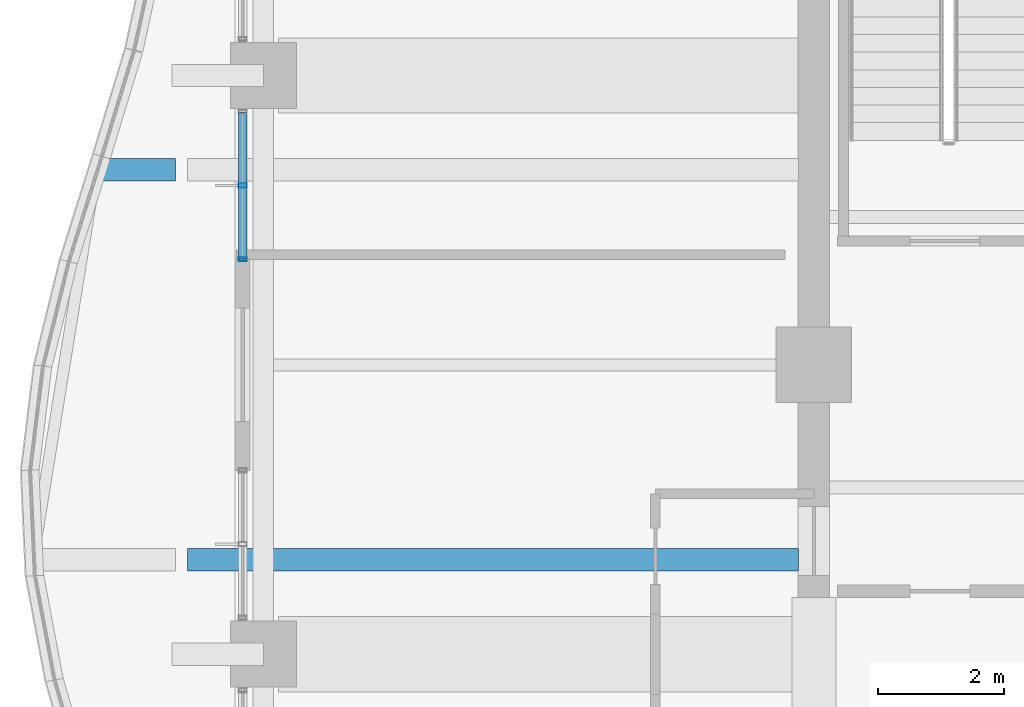
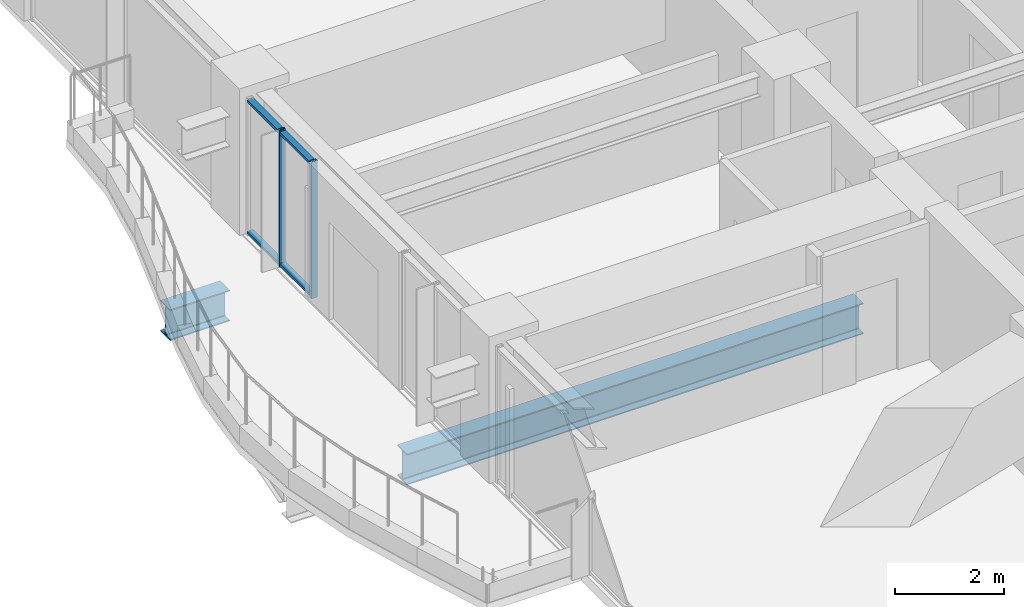
# One storey, part 10 of 36: 4 members, 2 beams, 1 element without a shape of its own.
"""IFC4 building model written with IfcOpenShell, lengths in metres."""

import ifcopenshell
import ifcopenshell.guid

model = None  # the IFC model being written
_history = None  # IfcOwnerHistory: only IFC2X3 demands one
_inside = {}  # id of a spatial element -> (the spatial element, [elements in it])
_under = {}  # id of a project, library or spatial element -> (it, [spatial elements below it])
_declared = {}  # id of a project -> (the project, [libraries it declares])
_typed = {}  # id of a type object -> (the type object, [elements of that type])
_made_of = {}  # id of a material, layer set ... -> (it, [elements and type objects made of it])


def new_model(schema):
    """Start an empty IFC model of exactly this schema.

    Asked for "IFC4X3", IfcOpenShell would pick the latest addendum, in which some entities
    have other attributes; the version numbers below select the first issue.
    IFC2X3 requires an IfcOwnerHistory on every rooted entity: one is made here for all.
    """
    global model, _history
    if schema == "IFC4X3":
        model = ifcopenshell.file(schema_version=(4, 3, 0, 0))
    else:
        model = ifcopenshell.file(schema=schema)
    _inside.clear()
    _under.clear()
    _declared.clear()
    _typed.clear()
    _made_of.clear()
    _history = None
    if model.schema == "IFC2X3":
        org = make("IfcOrganization", Name="unknown")
        user = make(
            "IfcPersonAndOrganization",
            ThePerson=make("IfcPerson", FamilyName="unknown"),
            TheOrganization=org,
        )
        app = make(
            "IfcApplication",
            ApplicationDeveloper=org,
            Version="unknown",
            ApplicationFullName="unknown",
            ApplicationIdentifier="unknown",
        )
        _history = make(
            "IfcOwnerHistory",
            OwningUser=user,
            OwningApplication=app,
            ChangeAction="ADDED",
            CreationDate=0,
        )
    return model


def make(cls, **values):
    """One entity of the class cls with the attributes given. An attribute that is None is left unset."""
    return model.create_entity(
        cls, **{name: value for name, value in values.items() if value is not None}
    )


def rooted(cls, **values):
    """An entity with a GlobalId (a new one), such as an element, a storey or a relation."""
    return make(cls, GlobalId=ifcopenshell.guid.new(), OwnerHistory=_history, **values)


def si_unit(unit_type, name, prefix=None):
    """IfcSIUnit, for example si_unit("LENGTHUNIT", "METRE", prefix="MILLI")."""
    return make("IfcSIUnit", UnitType=unit_type, Prefix=prefix, Name=name)


def assignment(units):
    """IfcUnitAssignment: the units of a project."""
    return None if units is None else make("IfcUnitAssignment", Units=units)


def point(xyz):
    """IfcCartesianPoint."""
    return None if xyz is None else make("IfcCartesianPoint", Coordinates=xyz)


def direction(xyz):
    """IfcDirection."""
    return None if xyz is None else make("IfcDirection", DirectionRatios=xyz)


def frame(location, z_axis=None, x_axis=None):
    """IfcAxis2Placement3D, a coordinate frame: its origin and axes. An axis left out is left unset."""
    return make(
        "IfcAxis2Placement3D",
        Location=point(location),
        Axis=direction(z_axis),
        RefDirection=direction(x_axis),
    )


def frame_2d(location, x_axis=None):
    """IfcAxis2Placement2D, a coordinate frame in the plane: its origin and x axis."""
    return make(
        "IfcAxis2Placement2D", Location=point(location), RefDirection=direction(x_axis)
    )


def origin():
    """The frame at (0, 0, 0) with its axes left unset."""
    return frame((0.0, 0.0, 0.0))


def origin_2d():
    """The frame at (0, 0) in the plane with its x axis left unset."""
    return frame_2d((0.0, 0.0))


def place(relative_to, where):
    """IfcLocalPlacement: puts the frame where relative to a parent placement (None: the world)."""
    return make(
        "IfcLocalPlacement", PlacementRelTo=relative_to, RelativePlacement=where
    )


def context(
    kind, dimensions, precision=None, world=None, true_north=None, identifier=None
):
    """IfcGeometricRepresentationContext, for example the 3D "Model" context."""
    return make(
        "IfcGeometricRepresentationContext",
        ContextIdentifier=identifier,
        ContextType=kind,
        CoordinateSpaceDimension=dimensions,
        Precision=precision,
        WorldCoordinateSystem=world,
        TrueNorth=true_north,
    )


def subcontext(parent, identifier, kind, view, scale=None):
    """IfcGeometricRepresentationSubContext, for example "Body" below "Model"."""
    return make(
        "IfcGeometricRepresentationSubContext",
        ContextIdentifier=identifier,
        ContextType=kind,
        ParentContext=parent,
        TargetScale=scale,
        TargetView=view,
    )


def project(units=None, contexts=None):
    """IfcProject with its units and contexts."""
    return rooted(
        "IfcProject",
        Name="project",
        RepresentationContexts=contexts,
        UnitsInContext=assignment(units),
    )


def spatial(cls, under=None, at=None, **own):
    """A site, building, storey or space (cls), placed at a placement, below another one or the project."""
    s = rooted(cls, ObjectPlacement=at, **own)
    if under is not None:
        _under.setdefault(under.id(), (under, []))[1].append(s)
    return s


def profile(cls, at=None, kind="AREA", **sizes):
    """A parametric profile (cls). Its sizes go by their IFC names, for example OverallWidth=200.0."""
    return make(cls, ProfileType=kind, Position=at, **sizes)


def hollow_rectangle(**sizes):
    """IfcRectangleHollowProfileDef."""
    return profile("IfcRectangleHollowProfileDef", **sizes)


def i_section(**sizes):
    """IfcIShapeProfileDef."""
    return profile("IfcIShapeProfileDef", **sizes)


def extrude(swept, where, along, depth):
    """IfcExtrudedAreaSolid: the profile swept, set in the frame where, extruded along a direction by depth."""
    return make(
        "IfcExtrudedAreaSolid",
        SweptArea=swept,
        Position=where,
        ExtrudedDirection=direction(along),
        Depth=depth,
    )


def shape(context_of_items, identifier, shape_type, items):
    """IfcShapeRepresentation: the items that make up one representation, for example the "Body"."""
    return make(
        "IfcShapeRepresentation",
        ContextOfItems=context_of_items,
        RepresentationIdentifier=identifier,
        RepresentationType=shape_type,
        Items=items,
    )


def material(Name=None, Category=None):
    """IfcMaterial."""
    return make("IfcMaterial", Name=Name, Category=Category)


def material_profile(
    of_material, cross_section, Name=None, Category=None, Priority=None
):
    """IfcMaterialProfile: a cross section and its material."""
    return make(
        "IfcMaterialProfile",
        Name=Name,
        Material=of_material,
        Profile=cross_section,
        Priority=Priority,
        Category=Category,
    )


def profile_set(profiles, Name=None, composite=None):
    """IfcMaterialProfileSet."""
    return make(
        "IfcMaterialProfileSet",
        Name=Name,
        MaterialProfiles=profiles,
        CompositeProfile=composite,
    )


def made_of(thing, what):
    """Note that an element or type object is made of a material, layer set ...; save() writes the relation."""
    if what is not None:
        _made_of.setdefault(what.id(), (what, []))[1].append(thing)
    return thing


def type_object(cls, material=None, **own):
    """A type object (cls), such as IfcWallType, which elements share."""
    return made_of(rooted(cls, **own), material)


def element(
    cls,
    number,
    at=None,
    inside=None,
    cuts=None,
    type_object=None,
    material=None,
    context=None,
    identifier="Body",
    shape_type=None,
    held_by="IfcProductDefinitionShape",
    body=None,
    shapes=None,
    **own,
):
    """One element of the class cls, such as IfcWall. Its Tag is "e" and its number.

    at: its placement. inside: the storey or other place that contains it. cuts: it is an
    opening in that element (IfcRelVoidsElement). A single representation is given by context,
    identifier, shape_type and body (its items); several are given by shapes. held_by: the class
    of the entity that holds the representations. save() writes the other relations.
    """
    e = rooted(cls, Tag="e%d" % number, ObjectPlacement=at, **own)
    if body is not None:
        shapes = [shape(context, identifier, shape_type, body)]
    if shapes is not None:
        e.Representation = make(held_by, Representations=shapes)
    if inside is not None:
        _inside.setdefault(inside.id(), (inside, []))[1].append(e)
    if cuts is not None:
        rooted(
            "IfcRelVoidsElement", RelatingBuildingElement=cuts, RelatedOpeningElement=e
        )
    if type_object is not None:
        _typed.setdefault(type_object.id(), (type_object, []))[1].append(e)
    return made_of(e, material)


def aggregate(whole, parts):
    """IfcRelAggregates: a whole, such as a stair, and the parts it consists of."""
    return rooted("IfcRelAggregates", RelatingObject=whole, RelatedObjects=parts)


def save(model, path):
    """Write the relations noted so far, then the file.

    IfcRelAggregates (storeys below a building ...), IfcRelContainedInSpatialStructure (elements
    in a storey), IfcRelDefinesByType, IfcRelAssociatesMaterial and IfcRelDeclares: one each for
    every whole, place, type object, material and project.
    """
    for whole, parts in _under.values():
        aggregate(whole, parts)
    for where, things in _inside.values():
        rooted(
            "IfcRelContainedInSpatialStructure",
            RelatedElements=things,
            RelatingStructure=where,
        )
    for kind, things in _typed.values():
        rooted("IfcRelDefinesByType", RelatedObjects=things, RelatingType=kind)
    for what, things in _made_of.values():
        rooted("IfcRelAssociatesMaterial", RelatedObjects=things, RelatingMaterial=what)
    for by, libraries in _declared.values():
        rooted("IfcRelDeclares", RelatingContext=by, RelatedDefinitions=libraries)
    model.write(path)


model = new_model("IFC4")

# Units and contexts
model_context = context("Model", 3, precision=1e-05, world=origin(), true_north=direction((0.0, 1.0)))
body_context = subcontext(model_context, "Body", "Model", "MODEL_VIEW")
ifc_project = project(units=[si_unit("LENGTHUNIT", "METRE"), si_unit("AREAUNIT", "SQUARE_METRE"), si_unit("VOLUMEUNIT", "CUBIC_METRE"), si_unit("PLANEANGLEUNIT", "RADIAN"), si_unit("MASSUNIT", "GRAM", prefix="KILO")], contexts=[model_context])

# Site, building, storey
site_placement = place(None, origin())
site = spatial("IfcSite", under=ifc_project, at=site_placement, CompositionType="ELEMENT")
building_placement = place(site_placement, origin())
building = spatial("IfcBuilding", under=site, at=building_placement, Name="Kolvaren Belvedere", CompositionType="ELEMENT")
storey_placement = place(building_placement, frame((0.0, 0.0, 108.5)))
storey = spatial("IfcBuildingStorey", under=building, at=storey_placement, Name="L31", CompositionType="ELEMENT", Elevation=108.5)

# Beams
ifc_material_1 = material(Name="Structural steel ASTM A992 Grade 50", Category="steel")
ifc_material_profile_1 = material_profile(ifc_material_1, i_section(OverallWidth=0.35498046875, OverallDepth=0.696044921875, WebThickness=0.015380859375, FlangeThickness=0.02490234375, FilletRadius=0.02197265625, at=origin_2d()), Name="W27X146")
ifc_profile_set_1 = profile_set([ifc_material_profile_1], Name="Structural steel ASTM A992 Grade 50")
beam_type_1 = type_object("IfcBeamType", Name="BM-CANT-BAL", PredefinedType="BEAM", material=ifc_profile_set_1)
beam_1_placement = place(storey_placement, frame((-20.044921875, 3.10009765625, -0.568115234375), z_axis=(-1.0, 0.0, 0.0), x_axis=(0.0, -1.0, 0.0)))
element("IfcBeam", 1, at=beam_1_placement, inside=storey, type_object=beam_type_1, Name="L31 Planted Balcony Cantilever BAL-W-2", PredefinedType="BEAM", context=body_context, shape_type="SweptSolid", body=[
    extrude(i_section(OverallWidth=0.35498046875, OverallDepth=0.696044921875, WebThickness=0.015380859375, FlangeThickness=0.02490234375, FilletRadius=0.02197265625, at=origin_2d()), origin(), (0.0, 0.0, 1.0), 1.268798828125),
])
ifc_material_2 = material(Name="Structural steel ASTM A992 Grade 50", Category="steel")
ifc_material_profile_2 = material_profile(ifc_material_2, i_section(OverallWidth=0.35498046875, OverallDepth=0.696044921875, WebThickness=0.015380859375, FlangeThickness=0.02490234375, FilletRadius=0.02197265625, at=origin_2d()), Name="W27X146")
ifc_profile_set_2 = profile_set([ifc_material_profile_2], Name="Structural steel ASTM A992 Grade 50")
beam_type_2 = type_object("IfcBeamType", Name="BM-GIRD-W27X146", PredefinedType="BEAM", material=ifc_profile_set_2)
beam_2_placement = place(storey_placement, frame((-10.139892578125, -3.10009765625, -0.568115234375), z_axis=(-1.0, 0.0, 0.0), x_axis=(0.0, -1.0, 0.0)))
element("IfcBeam", 2, at=beam_2_placement, inside=storey, type_object=beam_type_2, Name="L31 Balcony Interior Back-Span Girder BAL-W-1", PredefinedType="BEAM", context=body_context, shape_type="SweptSolid", body=[
    extrude(i_section(OverallWidth=0.35498046875, OverallDepth=0.696044921875, WebThickness=0.015380859375, FlangeThickness=0.02490234375, FilletRadius=0.02197265625, at=origin_2d()), origin(), (0.0, 0.0, 1.0), 9.715087890625),
])

# Curtain wall, members
ifc_material_3 = material(Name="Anodised pale-metal aluminium AA 6063-T6", Category="aluminium")
curtain_wall_type = type_object("IfcCurtainWallType", Name="CW-Z3-WAIST", PredefinedType="NOTDEFINED", material=ifc_material_3)
curtain_wall_placement = place(storey_placement, origin())
curtain_wall = element("IfcCurtainWall", 3, at=curtain_wall_placement, inside=storey, type_object=curtain_wall_type, Name="L31 Unitised Curtain Wall FCW-L31-W2-B1", PredefinedType="NOTDEFINED")
ifc_material_4 = material(Name="Anodised pale-metal aluminium AA 6063-T6", Category="aluminium")
ifc_material_profile_3 = material_profile(ifc_material_4, hollow_rectangle(XDim=0.06494140625, YDim=0.1298828125, WallThickness=0.00390625, at=origin_2d()), Name="ALU-MUL-130X65")
ifc_profile_set_3 = profile_set([ifc_material_profile_3], Name="Anodised pale-metal aluminium AA 6063-T6")
member_type_1 = type_object("IfcMemberType", Name="CW-MUL-130", PredefinedType="MULLION", material=ifc_profile_set_3)
member_1_placement = place(storey_placement, frame((-18.97998046875, 1.679931640625, 0.0), z_axis=(0.0, 0.0, 1.0), x_axis=(0.0, 1.0, 0.0)))
member_1 = element("IfcMember", 4, at=member_1_placement, type_object=member_type_1, Name="FCW-L31-W2-B1 Unitised Mullion 1", PredefinedType="MULLION", context=body_context, shape_type="SweptSolid", body=[
    extrude(hollow_rectangle(XDim=0.06494140625, YDim=0.1298828125, WallThickness=0.00390625, at=origin_2d()), origin(), (0.0, 0.0, 1.0), 3.080078125),
])
member_2_placement = place(storey_placement, frame((-18.97998046875, 2.851318359375, 0.0), z_axis=(0.0, 0.0, 1.0), x_axis=(0.0, 1.0, 0.0)))
member_2 = element("IfcMember", 5, at=member_2_placement, type_object=member_type_1, Name="FCW-L31-W2-B1 Unitised Mullion 2", PredefinedType="MULLION", context=body_context, shape_type="SweptSolid", body=[
    extrude(hollow_rectangle(XDim=0.06494140625, YDim=0.1298828125, WallThickness=0.00390625, at=origin_2d()), origin(), (0.0, 0.0, 1.0), 3.080078125),
])
ifc_material_5 = material(Name="Anodised pale-metal aluminium AA 6063-T6", Category="aluminium")
ifc_material_profile_4 = material_profile(ifc_material_5, hollow_rectangle(XDim=0.06005859375, YDim=0.1298828125, WallThickness=0.00390625, at=origin_2d()), Name="ALU-TRN-130X60")
ifc_profile_set_4 = profile_set([ifc_material_profile_4], Name="Anodised pale-metal aluminium AA 6063-T6")
member_type_2 = type_object("IfcMemberType", Name="CW-TRN-130", PredefinedType="USERDEFINED", material=ifc_profile_set_4)
member_3_placement = place(storey_placement, frame((-18.97998046875, 1.679931640625, 0.06005859375), z_axis=(0.0, 1.0, 0.0), x_axis=(0.0, 0.0, 1.0)))
member_3 = element("IfcMember", 6, at=member_3_placement, type_object=member_type_2, Name="FCW-L31-W2-B1 Sill Transom", ObjectType="TRANSOM", PredefinedType="USERDEFINED", context=body_context, shape_type="SweptSolid", body=[
    extrude(hollow_rectangle(XDim=0.06005859375, YDim=0.1298828125, WallThickness=0.00390625, at=origin_2d()), origin(), (0.0, 0.0, 1.0), 2.342529296875),
])
member_4_placement = place(storey_placement, frame((-18.97998046875, 1.679931640625, 3.02001953125), z_axis=(0.0, 1.0, 0.0), x_axis=(0.0, 0.0, 1.0)))
member_4 = element("IfcMember", 7, at=member_4_placement, type_object=member_type_2, Name="FCW-L31-W2-B1 Head Transom", ObjectType="TRANSOM", PredefinedType="USERDEFINED", context=body_context, shape_type="SweptSolid", body=[
    extrude(hollow_rectangle(XDim=0.06005859375, YDim=0.1298828125, WallThickness=0.00390625, at=origin_2d()), origin(), (0.0, 0.0, 1.0), 2.342529296875),
])
aggregate(curtain_wall, [member_1, member_2, member_3, member_4])

save(model, "model.ifc")
